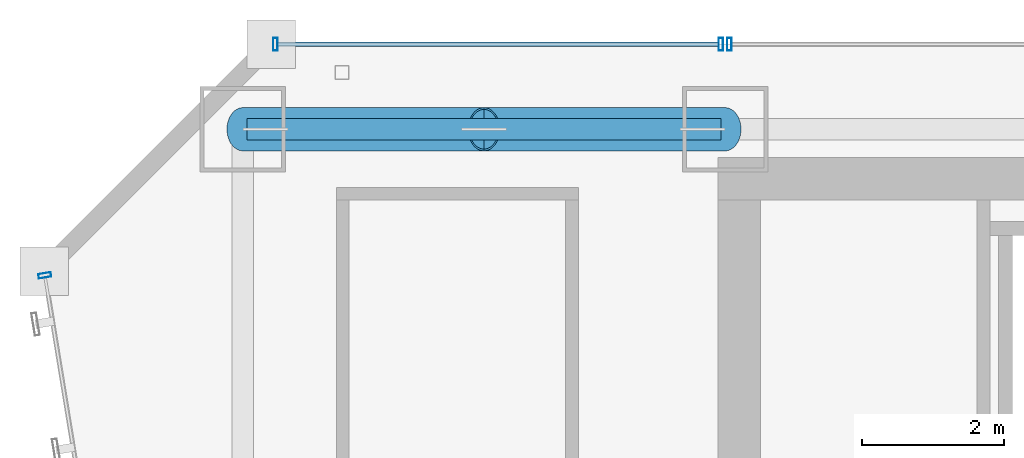
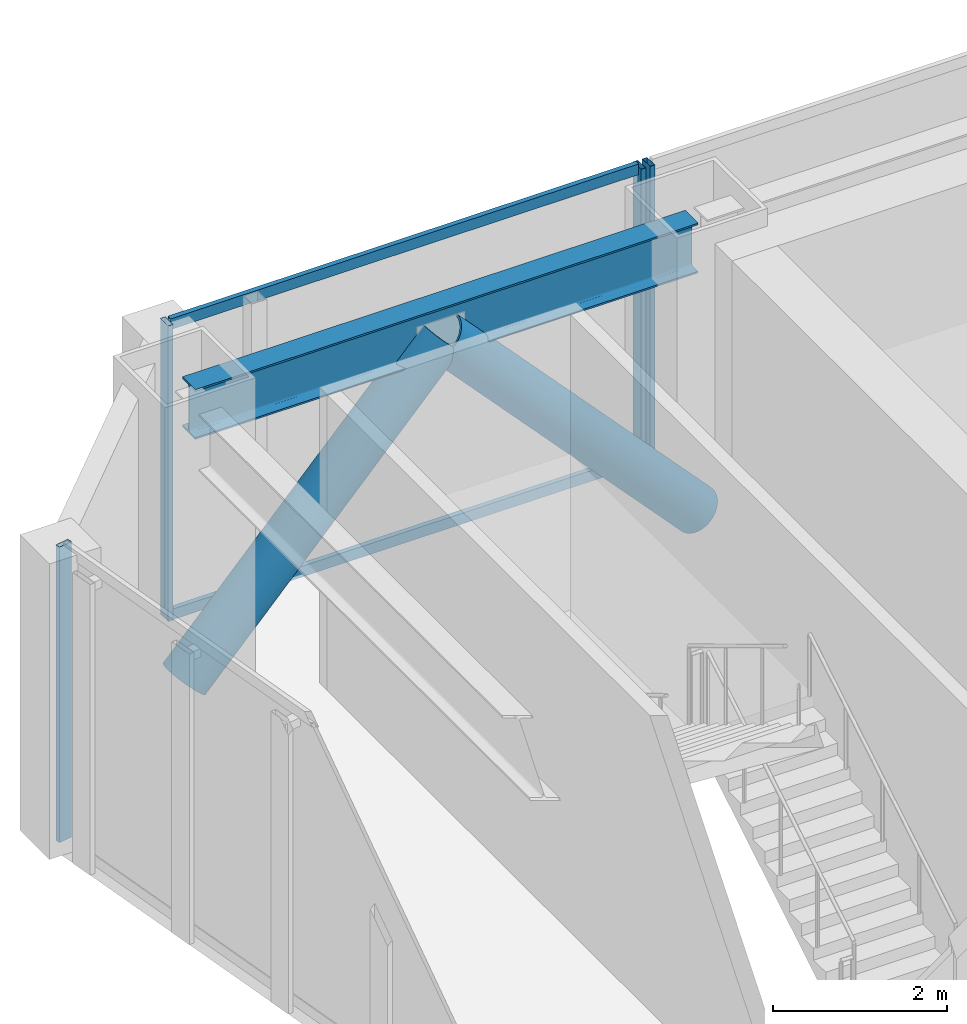
# One storey, part 26 of 47: 8 members, 1 beam, 3 elements without a shape of their own.
"""IFC4 building model written with IfcOpenShell, lengths in metres."""

from ifc_helpers import new_model, si_unit, direction, frame, origin, origin_2d, place, context, subcontext, project, spatial, hollow_rectangle, hollow_circle, i_section, extrude, material, material_profile, profile_set, type_object, element, aggregate, save


model = new_model("IFC4")

# Units and contexts
model_context = context("Model", 3, precision=1e-05, world=origin(), true_north=direction((0.0, 1.0)))
body_context = subcontext(model_context, "Body", "Model", "MODEL_VIEW")
ifc_project = project(units=[si_unit("LENGTHUNIT", "METRE"), si_unit("AREAUNIT", "SQUARE_METRE"), si_unit("VOLUMEUNIT", "CUBIC_METRE"), si_unit("PLANEANGLEUNIT", "RADIAN"), si_unit("MASSUNIT", "GRAM", prefix="KILO")], contexts=[model_context])

# Site, building, storey
site_placement = place(None, origin())
site = spatial("IfcSite", under=ifc_project, at=site_placement, CompositionType="ELEMENT")
building_placement = place(site_placement, origin())
building = spatial("IfcBuilding", under=site, at=building_placement, Name="Saevonmaru Cultural Tower", CompositionType="ELEMENT")
storey_placement = place(building_placement, frame((0.0, 0.0, 60.39990234375)))
storey = spatial("IfcBuildingStorey", under=building, at=storey_placement, Name="L12", CompositionType="ELEMENT", Elevation=60.39990234375)

# Beam
ifc_material_1 = material(Name="Steel SM355", Category="steel")
ifc_material_profile_1 = material_profile(ifc_material_1, i_section(OverallWidth=0.300048828125, OverallDepth=0.699951171875, WebThickness=0.012939453125, FlangeThickness=0.02392578125, FilletRadius=0.02587890625, at=origin_2d()), Name="H-700x300x13x24")
ifc_profile_set_1 = profile_set([ifc_material_profile_1], Name="Steel SM355")
beam_type = type_object("IfcBeamType", Name="BM-SP-H700", PredefinedType="SPANDREL", material=ifc_profile_set_1)
beam_placement = place(storey_placement, frame((6.860107421875, 54.800048828125, 3.800048828125), z_axis=(1.0, 0.0, 0.0), x_axis=(0.0, 1.0, 0.0)))
element("IfcBeam", 1, at=beam_placement, inside=storey, type_object=beam_type, Name="L12 North Spine Girder 1", PredefinedType="SPANDREL", context=body_context, shape_type="SweptSolid", body=[
    extrude(i_section(OverallWidth=0.300048828125, OverallDepth=0.699951171875, WebThickness=0.012939453125, FlangeThickness=0.02392578125, FilletRadius=0.02587890625, at=origin_2d()), origin(), (0.0, 0.0, 1.0), 6.679931640625),
])

# Members
ifc_material_2 = material(Name="Steel HSA600 (600 MPa)", Category="steel")
ifc_material_profile_2 = material_profile(ifc_material_2, hollow_circle(Radius=0.3046875, WallThickness=0.02490234375, at=origin_2d()), Name="CHS-609.6x25")
ifc_profile_set_2 = profile_set([ifc_material_profile_2], Name="Steel HSA600 (600 MPa)")
member_type_1 = type_object("IfcMemberType", Name="MB-PBR-CHS610", PredefinedType="BRACE", material=ifc_profile_set_2)
member_1_placement = place(storey_placement, frame((6.800048828125, 54.800048828125, 0.02001953125), z_axis=(0.681578526789, 0.0, 0.731744977311), x_axis=(0.0, 1.0, 0.0)))
element("IfcMember", 2, at=member_1_placement, inside=storey, type_object=member_type_1, Name="L12 Perimeter Braced-Tube Diagonal WN1", PredefinedType="BRACE", context=body_context, shape_type="SweptSolid", body=[
    extrude(hollow_circle(Radius=0.3046875, WallThickness=0.02490234375, at=origin_2d()), origin(), (0.0, 0.0, 1.0), 4.98828125),
])
member_2_placement = place(storey_placement, frame((13.60009765625, 54.800048828125, 0.02001953125), z_axis=(-0.681604731977, 0.0, 0.731720567803), x_axis=(0.0, -1.0, 0.0)))
element("IfcMember", 3, at=member_2_placement, inside=storey, type_object=member_type_1, Name="L12 Perimeter Braced-Tube Diagonal WN2", PredefinedType="BRACE", context=body_context, shape_type="SweptSolid", body=[
    extrude(hollow_circle(Radius=0.3046875, WallThickness=0.02490234375, at=origin_2d()), origin(), (0.0, 0.0, 1.0), 4.988525390625),
])

# Curtain wall, member
ifc_material_3 = material(Name="Satin Bronze Anodised Aluminium", Category="aluminium")
curtain_wall_type = type_object("IfcCurtainWallType", Name="CW-TYP-A", PredefinedType="NOTDEFINED", material=ifc_material_3)
curtain_wall_1_placement = place(storey_placement, origin())
curtain_wall_1 = element("IfcCurtainWall", 4, at=curtain_wall_1_placement, inside=storey, type_object=curtain_wall_type, Name="L12 North Spine Unitised Curtain Wall E10B", PredefinedType="NOTDEFINED")
ifc_material_profile_3 = material_profile(ifc_material_3, hollow_rectangle(XDim=0.06494140625, YDim=0.179931640625, WallThickness=0.00390625, at=origin_2d()), Name="ALU-MULL-180x65x4")
ifc_profile_set_3 = profile_set([ifc_material_profile_3], Name="Satin Bronze Anodised Aluminium")
member_type_2 = type_object("IfcMemberType", Name="ML-CW-180x65", PredefinedType="MULLION", material=ifc_profile_set_3)
member_3_placement = place(storey_placement, frame((13.659912109375, 56.0, 0.0), z_axis=(0.0, 0.0, 1.0), x_axis=(-1.0, 0.0, 0.0)))
member_3 = element("IfcMember", 5, at=member_3_placement, type_object=member_type_2, Name="CW-TW-L12-E10B mullion 4", PredefinedType="MULLION", context=body_context, shape_type="SweptSolid", body=[
    extrude(hollow_rectangle(XDim=0.06494140625, YDim=0.179931640625, WallThickness=0.00390625, at=origin_2d()), origin(), (0.0, 0.0, 1.0), 4.150146484375),
])
aggregate(curtain_wall_1, [member_3])

# Curtain wall, members
curtain_wall_2_placement = place(storey_placement, origin())
curtain_wall_2 = element("IfcCurtainWall", 6, at=curtain_wall_2_placement, inside=storey, type_object=curtain_wall_type, Name="L12 West Braced Bay Spandrel Curtain Wall E10C", PredefinedType="NOTDEFINED")
member_4_placement = place(storey_placement, frame((13.5400390625, 56.0, 0.0), z_axis=(0.0, 0.0, 1.0), x_axis=(-1.0, 0.0, 0.0)))
member_4 = element("IfcMember", 7, at=member_4_placement, type_object=member_type_2, Name="CW-TW-L12-E10C mullion 1", PredefinedType="MULLION", context=body_context, shape_type="SweptSolid", body=[
    extrude(hollow_rectangle(XDim=0.06494140625, YDim=0.179931640625, WallThickness=0.00390625, at=origin_2d()), origin(), (0.0, 0.0, 1.0), 4.150146484375),
])
member_5_placement = place(storey_placement, frame((7.260009765625, 56.0, 0.0), z_axis=(0.0, 0.0, 1.0), x_axis=(-1.0, 0.0, 0.0)))
member_5 = element("IfcMember", 8, at=member_5_placement, type_object=member_type_2, Name="CW-TW-L12-E10C mullion 2", PredefinedType="MULLION", context=body_context, shape_type="SweptSolid", body=[
    extrude(hollow_rectangle(XDim=0.06494140625, YDim=0.179931640625, WallThickness=0.00390625, at=origin_2d()), origin(), (0.0, 0.0, 1.0), 4.150146484375),
])

# Curtain wall, member
curtain_wall_3_placement = place(storey_placement, origin())
curtain_wall_3 = element("IfcCurtainWall", 9, at=curtain_wall_3_placement, inside=storey, type_object=curtain_wall_type, Name="L12 Unitised Curtain Wall E12", PredefinedType="NOTDEFINED")
member_6_placement = place(storey_placement, frame((4.009765625, 52.74072265625, 0.0), z_axis=(0.0, 0.0, 1.0), x_axis=(0.161708868641, -0.986838508472, 0.0)))
member_6 = element("IfcMember", 10, at=member_6_placement, type_object=member_type_2, Name="CW-TW-L12-E12 mullion 1", PredefinedType="MULLION", context=body_context, shape_type="SweptSolid", body=[
    extrude(hollow_rectangle(XDim=0.06494140625, YDim=0.179931640625, WallThickness=0.00390625, at=origin_2d()), origin(), (0.0, 0.0, 1.0), 4.150146484375),
])
aggregate(curtain_wall_3, [member_6])

# Member
ifc_material_profile_4 = material_profile(ifc_material_3, hollow_rectangle(XDim=0.06494140625, YDim=0.14990234375, WallThickness=0.00390625, at=origin_2d()), Name="ALU-TRAN-150x65x4")
ifc_profile_set_4 = profile_set([ifc_material_profile_4], Name="Satin Bronze Anodised Aluminium")
member_type_3 = type_object("IfcMemberType", Name="TR-CW-150x65", PredefinedType="USERDEFINED", material=ifc_profile_set_4)
member_7_placement = place(storey_placement, frame((13.507568359375, 56.0, 0.03271484375), z_axis=(-1.0, 0.0, 0.0), x_axis=(0.0, -1.0, 0.0)))
member_7 = element("IfcMember", 11, at=member_7_placement, type_object=member_type_3, Name="CW-TW-L12-E10C transom 1.1", ObjectType="TRANSOM", PredefinedType="USERDEFINED", context=body_context, shape_type="SweptSolid", body=[
    extrude(hollow_rectangle(XDim=0.06494140625, YDim=0.14990234375, WallThickness=0.00390625, at=origin_2d()), origin(), (0.0, 0.0, 1.0), 6.215087890625),
])

member_8_placement = place(storey_placement, frame((13.507568359375, 56.0, 4.11767578125), z_axis=(-1.0, 0.0, 0.0), x_axis=(0.0, -1.0, 0.0)))
member_8 = element("IfcMember", 12, at=member_8_placement, type_object=member_type_3, Name="CW-TW-L12-E10C transom 1.2", ObjectType="TRANSOM", PredefinedType="USERDEFINED", context=body_context, shape_type="SweptSolid", body=[
    extrude(hollow_rectangle(XDim=0.06494140625, YDim=0.14990234375, WallThickness=0.00390625, at=origin_2d()), origin(), (0.0, 0.0, 1.0), 6.215087890625),
])

aggregate(curtain_wall_2, [member_4, member_5, member_7, member_8])

save(model, "model.ifc")
